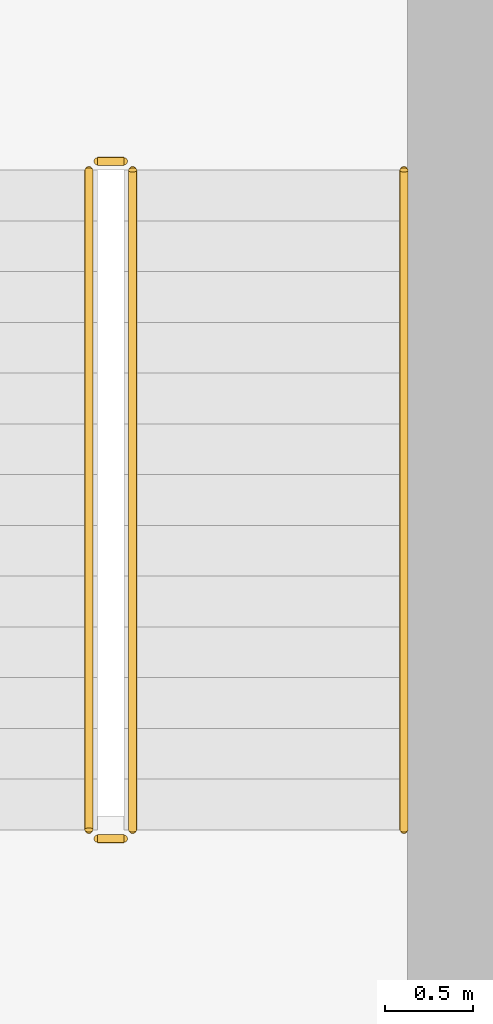
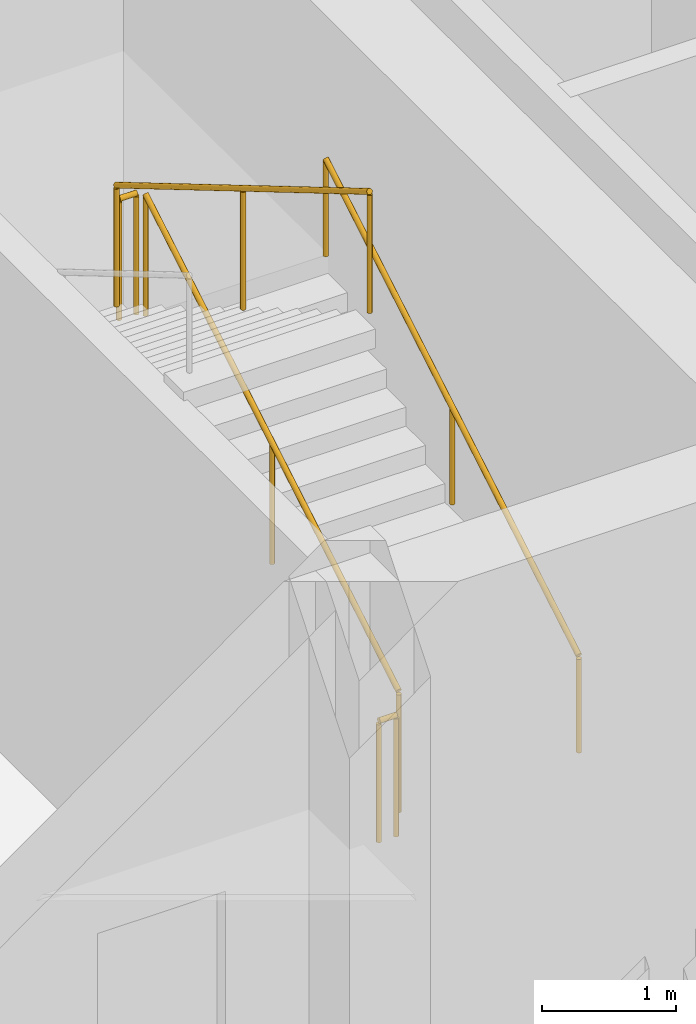
# One storey, part 19 of 19: 5 railings.
"""IFC4 building model written with IfcOpenShell, lengths in metres."""

from ifc_helpers import new_model, si_unit, direction, frame, origin, origin_2d, place, context, subcontext, project, spatial, circle, extrude, material, type_object, element, save


model = new_model("IFC4")

# Units and contexts
model_context = context("Model", 3, precision=1e-05, world=origin(), true_north=direction((0.0, 1.0)))
body_context = subcontext(model_context, "Body", "Model", "MODEL_VIEW")
ifc_project = project(units=[si_unit("LENGTHUNIT", "METRE"), si_unit("AREAUNIT", "SQUARE_METRE"), si_unit("VOLUMEUNIT", "CUBIC_METRE"), si_unit("PLANEANGLEUNIT", "RADIAN"), si_unit("MASSUNIT", "GRAM", prefix="KILO")], contexts=[model_context])

# Site, building, storey
site_placement = place(None, origin())
site = spatial("IfcSite", under=ifc_project, at=site_placement, CompositionType="ELEMENT")
building_placement = place(site_placement, origin())
building = spatial("IfcBuilding", under=site, at=building_placement, Name="Varnelok Gate Tower", CompositionType="ELEMENT")
storey_placement = place(building_placement, frame((0.0, 0.0, 207.89990234375)))
storey = spatial("IfcBuildingStorey", under=building, at=storey_placement, Name="L53", CompositionType="ELEMENT", Elevation=207.89990234375)

# Railings
ifc_material_1 = material(Name="Brushed Stainless Steel AISI 316", Category="steel")
railing_type_1 = type_object("IfcRailingType", Name="RL-HANDRAIL-900", PredefinedType="HANDRAIL", material=ifc_material_1)
railing_1_placement = place(storey_placement, frame((47.25, 31.60009765625, 0.171630859375)))
element("IfcRailing", 1, at=railing_1_placement, inside=storey, type_object=railing_type_1, Name="L53 ST-2 stair handrail 1", PredefinedType="HANDRAIL", context=body_context, shape_type="SweptSolid", body=[
    extrude(circle(Radius=0.02392578125, at=origin_2d()), frame((0.0, 0.0, 0.8759765625), z_axis=(0.0, 0.860848830602, 0.508860777473), x_axis=(-1.0, 0.0, 0.0)), (0.0, 0.0, 1.0), 4.37939453125),
    extrude(circle(Radius=0.02099609375, at=origin_2d()), origin(), (0.0, 0.0, 1.0), 0.851806640625),
    extrude(circle(Radius=0.02099609375, at=origin_2d()), frame((0.0, 1.885009765625, 1.1142578125)), (0.0, 0.0, 1.0), 0.851806640625),
    extrude(circle(Radius=0.02099609375, at=origin_2d()), frame((0.0, 3.77001953125, 2.228515625)), (0.0, 0.0, 1.0), 0.851806640625),
])
ifc_material_2 = material(Name="Galvanized Steel Grade S350GD", Category="steel")
railing_type_2 = type_object("IfcRailingType", Name="RL-STAIR-GUARD1120", PredefinedType="GUARDRAIL", material=ifc_material_2)
railing_2_placement = place(storey_placement, frame((45.699951171875, 31.60009765625, 0.171630859375)))
element("IfcRailing", 2, at=railing_2_placement, inside=storey, type_object=railing_type_2, Name="L53 ST-2 stair guard 1", PredefinedType="GUARDRAIL", context=body_context, shape_type="SweptSolid", body=[
    extrude(circle(Radius=0.02392578125, at=origin_2d()), frame((0.0, 0.0, 1.09619140625), z_axis=(0.0, 0.860848830602, 0.508860777473), x_axis=(-1.0, 0.0, 0.0)), (0.0, 0.0, 1.0), 4.37939453125),
    extrude(circle(Radius=0.02099609375, at=origin_2d()), origin(), (0.0, 0.0, 1.0), 1.072021484375),
    extrude(circle(Radius=0.02099609375, at=origin_2d()), frame((0.0, 1.885009765625, 1.1142578125)), (0.0, 0.0, 1.0), 1.072021484375),
    extrude(circle(Radius=0.02099609375, at=origin_2d()), frame((0.0, 3.77001953125, 2.228515625)), (0.0, 0.0, 1.0), 1.072021484375),
])
railing_3_placement = place(storey_placement, frame((45.64990234375, 35.419921875, 2.400146484375)))
element("IfcRailing", 3, at=railing_3_placement, inside=storey, type_object=railing_type_2, Name="L53 ST-2 stair guard 2", PredefinedType="GUARDRAIL", context=body_context, shape_type="SweptSolid", body=[
    extrude(circle(Radius=0.02392578125, at=origin_2d()), frame((0.0, 0.0, 1.09619140625), z_axis=(-1.0, 0.0, 0.0), x_axis=(0.0, -1.0, 0.0)), (0.0, 0.0, 1.0), 0.14990234375),
    extrude(circle(Radius=0.02099609375, at=origin_2d()), origin(), (0.0, 0.0, 1.0), 1.072021484375),
    extrude(circle(Radius=0.02099609375, at=origin_2d()), frame((-0.14990234375, 0.0, 0.0)), (0.0, 0.0, 1.0), 1.072021484375),
])
railing_4_placement = place(storey_placement, frame((45.449951171875, 35.3701171875, 2.571533203125)))
element("IfcRailing", 4, at=railing_4_placement, inside=storey, type_object=railing_type_2, Name="L53 ST-2 stair guard 3", PredefinedType="GUARDRAIL", context=body_context, shape_type="SweptSolid", body=[
    extrude(circle(Radius=0.02392578125, at=origin_2d()), frame((0.0, 0.0, 1.09619140625), z_axis=(0.0, -0.860848830602, 0.508860777473), x_axis=(1.0, 0.0, 0.0)), (0.0, 0.0, 1.0), 4.37939453125),
    extrude(circle(Radius=0.02099609375, at=origin_2d()), origin(), (0.0, 0.0, 1.0), 1.072021484375),
    extrude(circle(Radius=0.02099609375, at=origin_2d()), frame((0.0, -1.885009765625, 1.1142578125)), (0.0, 0.0, 1.0), 1.072021484375),
    extrude(circle(Radius=0.02099609375, at=origin_2d()), frame((0.0, -3.77001953125, 2.228515625)), (0.0, 0.0, 1.0), 1.072021484375),
])
railing_5_placement = place(storey_placement, frame((45.64990234375, 31.550048828125, 0.0)))
element("IfcRailing", 5, at=railing_5_placement, inside=storey, type_object=railing_type_2, Name="L53 ST-2 stair guard 4", PredefinedType="GUARDRAIL", context=body_context, shape_type="SweptSolid", body=[
    extrude(circle(Radius=0.02392578125, at=origin_2d()), frame((0.0, 0.0, 1.09619140625), z_axis=(-1.0, 0.0, 0.0), x_axis=(0.0, -1.0, 0.0)), (0.0, 0.0, 1.0), 0.14990234375),
    extrude(circle(Radius=0.02099609375, at=origin_2d()), origin(), (0.0, 0.0, 1.0), 1.072021484375),
    extrude(circle(Radius=0.02099609375, at=origin_2d()), frame((-0.14990234375, 0.0, 0.0)), (0.0, 0.0, 1.0), 1.072021484375),
])

save(model, "model.ifc")
